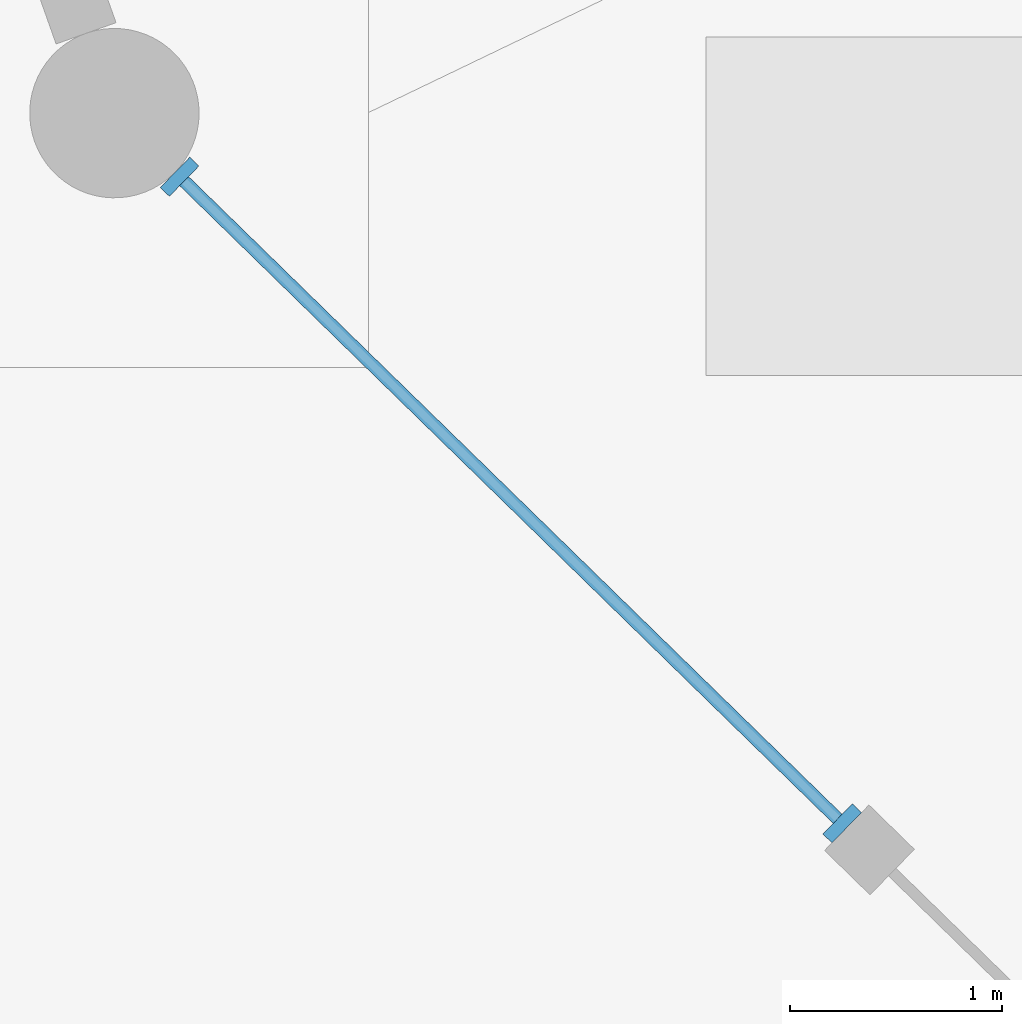
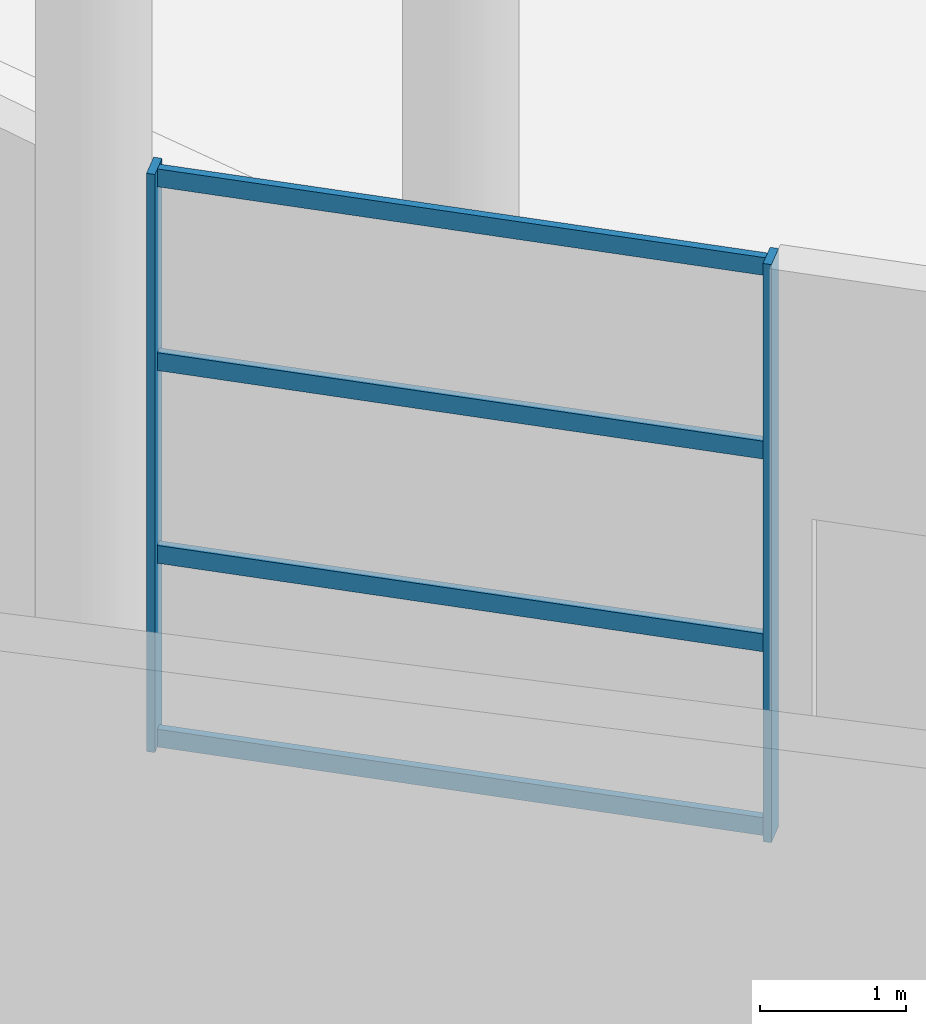
# One storey, part 67 of 255: 6 members, 1 element without a shape of its own.
"""IFC4 building model written with IfcOpenShell, lengths in metres."""

import ifcopenshell
import ifcopenshell.guid

model = None  # the IFC model being written
_history = None  # IfcOwnerHistory: only IFC2X3 demands one
_inside = {}  # id of a spatial element -> (the spatial element, [elements in it])
_under = {}  # id of a project, library or spatial element -> (it, [spatial elements below it])
_declared = {}  # id of a project -> (the project, [libraries it declares])
_typed = {}  # id of a type object -> (the type object, [elements of that type])
_made_of = {}  # id of a material, layer set ... -> (it, [elements and type objects made of it])


def new_model(schema):
    """Start an empty IFC model of exactly this schema.

    Asked for "IFC4X3", IfcOpenShell would pick the latest addendum, in which some entities
    have other attributes; the version numbers below select the first issue.
    IFC2X3 requires an IfcOwnerHistory on every rooted entity: one is made here for all.
    """
    global model, _history
    if schema == "IFC4X3":
        model = ifcopenshell.file(schema_version=(4, 3, 0, 0))
    else:
        model = ifcopenshell.file(schema=schema)
    _inside.clear()
    _under.clear()
    _declared.clear()
    _typed.clear()
    _made_of.clear()
    _history = None
    if model.schema == "IFC2X3":
        org = make("IfcOrganization", Name="unknown")
        user = make(
            "IfcPersonAndOrganization",
            ThePerson=make("IfcPerson", FamilyName="unknown"),
            TheOrganization=org,
        )
        app = make(
            "IfcApplication",
            ApplicationDeveloper=org,
            Version="unknown",
            ApplicationFullName="unknown",
            ApplicationIdentifier="unknown",
        )
        _history = make(
            "IfcOwnerHistory",
            OwningUser=user,
            OwningApplication=app,
            ChangeAction="ADDED",
            CreationDate=0,
        )
    return model


def make(cls, **values):
    """One entity of the class cls with the attributes given. An attribute that is None is left unset."""
    return model.create_entity(
        cls, **{name: value for name, value in values.items() if value is not None}
    )


def rooted(cls, **values):
    """An entity with a GlobalId (a new one), such as an element, a storey or a relation."""
    return make(cls, GlobalId=ifcopenshell.guid.new(), OwnerHistory=_history, **values)


def si_unit(unit_type, name, prefix=None):
    """IfcSIUnit, for example si_unit("LENGTHUNIT", "METRE", prefix="MILLI")."""
    return make("IfcSIUnit", UnitType=unit_type, Prefix=prefix, Name=name)


def assignment(units):
    """IfcUnitAssignment: the units of a project."""
    return None if units is None else make("IfcUnitAssignment", Units=units)


def point(xyz):
    """IfcCartesianPoint."""
    return None if xyz is None else make("IfcCartesianPoint", Coordinates=xyz)


def direction(xyz):
    """IfcDirection."""
    return None if xyz is None else make("IfcDirection", DirectionRatios=xyz)


def frame(location, z_axis=None, x_axis=None):
    """IfcAxis2Placement3D, a coordinate frame: its origin and axes. An axis left out is left unset."""
    return make(
        "IfcAxis2Placement3D",
        Location=point(location),
        Axis=direction(z_axis),
        RefDirection=direction(x_axis),
    )


def frame_2d(location, x_axis=None):
    """IfcAxis2Placement2D, a coordinate frame in the plane: its origin and x axis."""
    return make(
        "IfcAxis2Placement2D", Location=point(location), RefDirection=direction(x_axis)
    )


def origin():
    """The frame at (0, 0, 0) with its axes left unset."""
    return frame((0.0, 0.0, 0.0))


def origin_2d():
    """The frame at (0, 0) in the plane with its x axis left unset."""
    return frame_2d((0.0, 0.0))


def place(relative_to, where):
    """IfcLocalPlacement: puts the frame where relative to a parent placement (None: the world)."""
    return make(
        "IfcLocalPlacement", PlacementRelTo=relative_to, RelativePlacement=where
    )


def context(
    kind, dimensions, precision=None, world=None, true_north=None, identifier=None
):
    """IfcGeometricRepresentationContext, for example the 3D "Model" context."""
    return make(
        "IfcGeometricRepresentationContext",
        ContextIdentifier=identifier,
        ContextType=kind,
        CoordinateSpaceDimension=dimensions,
        Precision=precision,
        WorldCoordinateSystem=world,
        TrueNorth=true_north,
    )


def subcontext(parent, identifier, kind, view, scale=None):
    """IfcGeometricRepresentationSubContext, for example "Body" below "Model"."""
    return make(
        "IfcGeometricRepresentationSubContext",
        ContextIdentifier=identifier,
        ContextType=kind,
        ParentContext=parent,
        TargetScale=scale,
        TargetView=view,
    )


def project(units=None, contexts=None):
    """IfcProject with its units and contexts."""
    return rooted(
        "IfcProject",
        Name="project",
        RepresentationContexts=contexts,
        UnitsInContext=assignment(units),
    )


def spatial(cls, under=None, at=None, **own):
    """A site, building, storey or space (cls), placed at a placement, below another one or the project."""
    s = rooted(cls, ObjectPlacement=at, **own)
    if under is not None:
        _under.setdefault(under.id(), (under, []))[1].append(s)
    return s


def profile(cls, at=None, kind="AREA", **sizes):
    """A parametric profile (cls). Its sizes go by their IFC names, for example OverallWidth=200.0."""
    return make(cls, ProfileType=kind, Position=at, **sizes)


def rectangle(**sizes):
    """IfcRectangleProfileDef."""
    return profile("IfcRectangleProfileDef", **sizes)


def extrude(swept, where, along, depth):
    """IfcExtrudedAreaSolid: the profile swept, set in the frame where, extruded along a direction by depth."""
    return make(
        "IfcExtrudedAreaSolid",
        SweptArea=swept,
        Position=where,
        ExtrudedDirection=direction(along),
        Depth=depth,
    )


def shape(context_of_items, identifier, shape_type, items):
    """IfcShapeRepresentation: the items that make up one representation, for example the "Body"."""
    return make(
        "IfcShapeRepresentation",
        ContextOfItems=context_of_items,
        RepresentationIdentifier=identifier,
        RepresentationType=shape_type,
        Items=items,
    )


def material(Name=None, Category=None):
    """IfcMaterial."""
    return make("IfcMaterial", Name=Name, Category=Category)


def layer(
    of_material, thickness, ventilated=None, Name=None, Category=None, Priority=None
):
    """IfcMaterialLayer: one layer of a wall or slab, of a material (None: an air gap)."""
    return make(
        "IfcMaterialLayer",
        Material=of_material,
        LayerThickness=thickness,
        IsVentilated=ventilated,
        Name=Name,
        Category=Category,
        Priority=Priority,
    )


def layer_set(layers, Name=None):
    """IfcMaterialLayerSet."""
    return make("IfcMaterialLayerSet", MaterialLayers=layers, LayerSetName=Name)


def material_profile(
    of_material, cross_section, Name=None, Category=None, Priority=None
):
    """IfcMaterialProfile: a cross section and its material."""
    return make(
        "IfcMaterialProfile",
        Name=Name,
        Material=of_material,
        Profile=cross_section,
        Priority=Priority,
        Category=Category,
    )


def profile_set(profiles, Name=None, composite=None):
    """IfcMaterialProfileSet."""
    return make(
        "IfcMaterialProfileSet",
        Name=Name,
        MaterialProfiles=profiles,
        CompositeProfile=composite,
    )


def made_of(thing, what):
    """Note that an element or type object is made of a material, layer set ...; save() writes the relation."""
    if what is not None:
        _made_of.setdefault(what.id(), (what, []))[1].append(thing)
    return thing


def type_object(cls, material=None, **own):
    """A type object (cls), such as IfcWallType, which elements share."""
    return made_of(rooted(cls, **own), material)


def element(
    cls,
    number,
    at=None,
    inside=None,
    cuts=None,
    type_object=None,
    material=None,
    context=None,
    identifier="Body",
    shape_type=None,
    held_by="IfcProductDefinitionShape",
    body=None,
    shapes=None,
    **own,
):
    """One element of the class cls, such as IfcWall. Its Tag is "e" and its number.

    at: its placement. inside: the storey or other place that contains it. cuts: it is an
    opening in that element (IfcRelVoidsElement). A single representation is given by context,
    identifier, shape_type and body (its items); several are given by shapes. held_by: the class
    of the entity that holds the representations. save() writes the other relations.
    """
    e = rooted(cls, Tag="e%d" % number, ObjectPlacement=at, **own)
    if body is not None:
        shapes = [shape(context, identifier, shape_type, body)]
    if shapes is not None:
        e.Representation = make(held_by, Representations=shapes)
    if inside is not None:
        _inside.setdefault(inside.id(), (inside, []))[1].append(e)
    if cuts is not None:
        rooted(
            "IfcRelVoidsElement", RelatingBuildingElement=cuts, RelatedOpeningElement=e
        )
    if type_object is not None:
        _typed.setdefault(type_object.id(), (type_object, []))[1].append(e)
    return made_of(e, material)


def aggregate(whole, parts):
    """IfcRelAggregates: a whole, such as a stair, and the parts it consists of."""
    return rooted("IfcRelAggregates", RelatingObject=whole, RelatedObjects=parts)


def save(model, path):
    """Write the relations noted so far, then the file.

    IfcRelAggregates (storeys below a building ...), IfcRelContainedInSpatialStructure (elements
    in a storey), IfcRelDefinesByType, IfcRelAssociatesMaterial and IfcRelDeclares: one each for
    every whole, place, type object, material and project.
    """
    for whole, parts in _under.values():
        aggregate(whole, parts)
    for where, things in _inside.values():
        rooted(
            "IfcRelContainedInSpatialStructure",
            RelatedElements=things,
            RelatingStructure=where,
        )
    for kind, things in _typed.values():
        rooted("IfcRelDefinesByType", RelatedObjects=things, RelatingType=kind)
    for what, things in _made_of.values():
        rooted("IfcRelAssociatesMaterial", RelatedObjects=things, RelatingMaterial=what)
    for by, libraries in _declared.values():
        rooted("IfcRelDeclares", RelatingContext=by, RelatedDefinitions=libraries)
    model.write(path)


model = new_model("IFC4")

# Units and contexts
model_context = context("Model", 3, precision=1e-05, world=origin(), true_north=direction((0.0, 1.0)))
body_context = subcontext(model_context, "Body", "Model", "MODEL_VIEW")
ifc_project = project(units=[si_unit("LENGTHUNIT", "METRE"), si_unit("AREAUNIT", "SQUARE_METRE"), si_unit("VOLUMEUNIT", "CUBIC_METRE"), si_unit("PLANEANGLEUNIT", "RADIAN"), si_unit("MASSUNIT", "GRAM", prefix="KILO")], contexts=[model_context])

# Site, building, storey
site_placement = place(None, origin())
site = spatial("IfcSite", under=ifc_project, at=site_placement, CompositionType="ELEMENT")
building_placement = place(site_placement, origin())
building = spatial("IfcBuilding", under=site, at=building_placement, Name="Meseta Stadium", CompositionType="ELEMENT")
storey_placement = place(building_placement, origin())
storey = spatial("IfcBuildingStorey", under=building, at=storey_placement, Name="L00", CompositionType="ELEMENT", Elevation=0.0)

# Curtain wall, members
ifc_material_1 = material(Name="Aluminium", Category="aluminium")
ifc_layer = layer(ifc_material_1, 0.199951171875)
ifc_layer_set = layer_set([ifc_layer], Name="Ring shopfront curtain wall")
curtain_wall_type = type_object("IfcCurtainWallType", Name="Ring shopfront curtain wall", PredefinedType="NOTDEFINED", material=ifc_layer_set)
curtain_wall_placement = place(storey_placement, origin())
curtain_wall = element("IfcCurtainWall", 1, at=curtain_wall_placement, inside=storey, type_object=curtain_wall_type, Name="Shopfront glazing F10b", PredefinedType="NOTDEFINED")
ifc_material_2 = material(Name="Aluminium", Category="aluminium")
ifc_material_profile_1 = material_profile(ifc_material_2, rectangle(XDim=0.199951171875, YDim=0.06005859375, at=origin_2d()), Name="CW 200x60")
ifc_profile_set_1 = profile_set([ifc_material_profile_1], Name="Aluminium")
member_type_1 = type_object("IfcMemberType", Name="Ring CW mullion 60x200", PredefinedType="MULLION", material=ifc_profile_set_1)
member_1_placement = place(storey_placement, frame((97.361328125, 76.759765625, 0.0), z_axis=(0.0, 0.0, 1.0), x_axis=(-0.698388703987, -0.715718672485, 0.0)))
member_1 = element("IfcMember", 2, at=member_1_placement, type_object=member_type_1, Name="CWR1 mullion 1", PredefinedType="MULLION", context=body_context, shape_type="SweptSolid", body=[
    extrude(rectangle(XDim=0.199951171875, YDim=0.06005859375, at=origin_2d()), origin(), (0.0, 0.0, 1.0), 4.85009765625),
])
member_2_placement = place(storey_placement, frame((94.232421875, 79.812744140625, 0.0), z_axis=(0.0, 0.0, 1.0), x_axis=(-0.698388703987, -0.715718672485, 0.0)))
member_2 = element("IfcMember", 3, at=member_2_placement, type_object=member_type_1, Name="CWR1 mullion 2", PredefinedType="MULLION", context=body_context, shape_type="SweptSolid", body=[
    extrude(rectangle(XDim=0.199951171875, YDim=0.06005859375, at=origin_2d()), origin(), (0.0, 0.0, 1.0), 4.85009765625),
])
ifc_material_3 = material(Name="Aluminium", Category="aluminium")
ifc_material_profile_2 = material_profile(ifc_material_3, rectangle(XDim=0.06005859375, YDim=0.14990234375, at=origin_2d()), Name="CW 60x150")
ifc_profile_set_2 = profile_set([ifc_material_profile_2], Name="Aluminium")
member_type_2 = type_object("IfcMemberType", Name="Ring CW transom 60x150", PredefinedType="USERDEFINED", material=ifc_profile_set_2)
member_3_placement = place(storey_placement, frame((97.33984375, 76.780517578125, 0.074951171875), z_axis=(-0.715717055566, 0.698390361025, 0.0), x_axis=(-0.698390361025, -0.715717055566, 0.0)))
member_3 = element("IfcMember", 4, at=member_3_placement, type_object=member_type_2, Name="CWR1 transom 1.1", ObjectType="TRANSOM", PredefinedType="USERDEFINED", context=body_context, shape_type="SweptSolid", body=[
    extrude(rectangle(XDim=0.06005859375, YDim=0.14990234375, at=origin_2d()), origin(), (0.0, 0.0, 1.0), 4.311767578125),
])
member_4_placement = place(storey_placement, frame((97.33984375, 76.780517578125, 1.61669921875), z_axis=(-0.715717055566, 0.698390361025, 0.0), x_axis=(-0.698390361025, -0.715717055566, 0.0)))
member_4 = element("IfcMember", 5, at=member_4_placement, type_object=member_type_2, Name="CWR1 transom 1.2", ObjectType="TRANSOM", PredefinedType="USERDEFINED", context=body_context, shape_type="SweptSolid", body=[
    extrude(rectangle(XDim=0.06005859375, YDim=0.14990234375, at=origin_2d()), origin(), (0.0, 0.0, 1.0), 4.311767578125),
])
member_5_placement = place(storey_placement, frame((97.33984375, 76.780517578125, 3.2333984375), z_axis=(-0.715717055566, 0.698390361025, 0.0), x_axis=(-0.698390361025, -0.715717055566, 0.0)))
member_5 = element("IfcMember", 6, at=member_5_placement, type_object=member_type_2, Name="CWR1 transom 1.3", ObjectType="TRANSOM", PredefinedType="USERDEFINED", context=body_context, shape_type="SweptSolid", body=[
    extrude(rectangle(XDim=0.06005859375, YDim=0.14990234375, at=origin_2d()), origin(), (0.0, 0.0, 1.0), 4.311767578125),
])
member_6_placement = place(storey_placement, frame((97.33984375, 76.780517578125, 4.77490234375), z_axis=(-0.715717055566, 0.698390361025, 0.0), x_axis=(-0.698390361025, -0.715717055566, 0.0)))
member_6 = element("IfcMember", 7, at=member_6_placement, type_object=member_type_2, Name="CWR1 transom 1.4", ObjectType="TRANSOM", PredefinedType="USERDEFINED", context=body_context, shape_type="SweptSolid", body=[
    extrude(rectangle(XDim=0.06005859375, YDim=0.14990234375, at=origin_2d()), origin(), (0.0, 0.0, 1.0), 4.311767578125),
])
aggregate(curtain_wall, [member_1, member_2, member_3, member_4, member_5, member_6])

save(model, "model.ifc")
